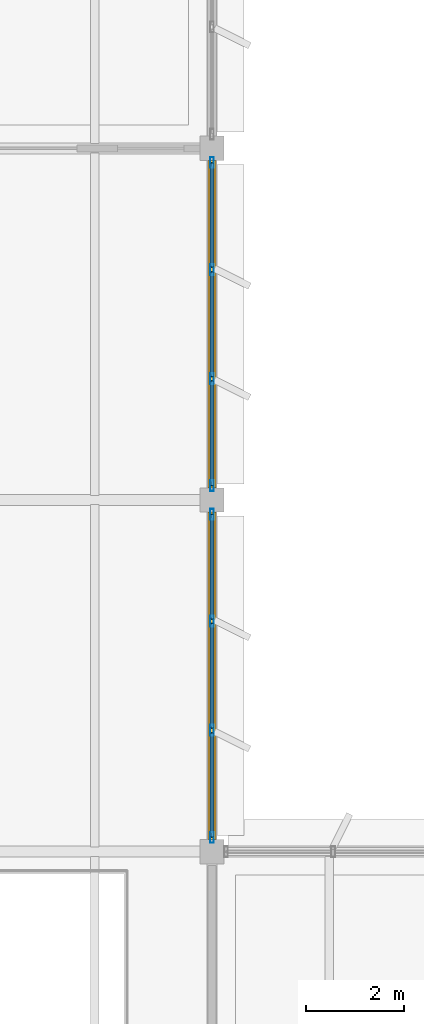
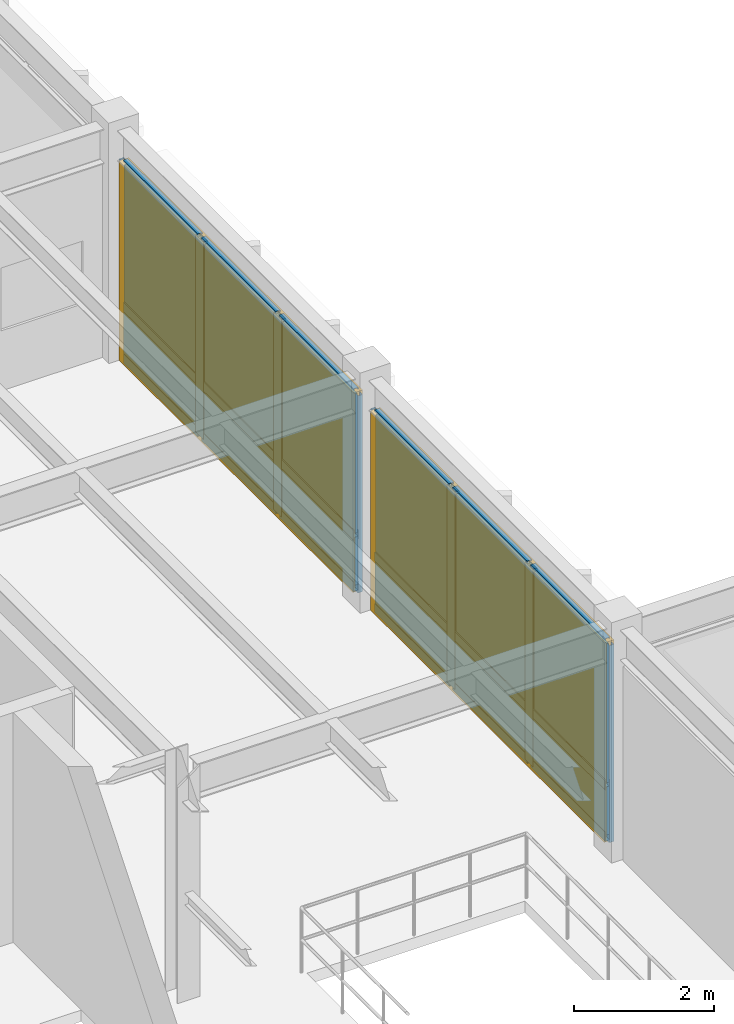
# One storey, part 68 of 85: 26 members, 12 plates, 2 curtain walls.
"""IFC4 building model written with IfcOpenShell, lengths in metres."""

from ifc_helpers import new_model, si_unit, direction, frame, origin, origin_2d, place, context, subcontext, project, spatial, rectangle, hollow_rectangle, extrude, material, layer, layer_set, material_profile, profile_set, type_object, element, aggregate, save


model = new_model("IFC4")

# Units and contexts
model_context = context("Model", 3, precision=1e-05, world=origin(), true_north=direction((0.0, 1.0)))
body_context = subcontext(model_context, "Body", "Model", "MODEL_VIEW")
ifc_project = project(units=[si_unit("LENGTHUNIT", "METRE"), si_unit("AREAUNIT", "SQUARE_METRE"), si_unit("VOLUMEUNIT", "CUBIC_METRE"), si_unit("PLANEANGLEUNIT", "RADIAN"), si_unit("MASSUNIT", "GRAM", prefix="KILO")], contexts=[model_context])

# Member
ifc_material_1 = material(Name="Anodized Aluminium 6063-T6", Category="aluminium")
ifc_material_profile_1 = material_profile(ifc_material_1, hollow_rectangle(XDim=0.074951171875, YDim=0.219970703125, WallThickness=0.0048828125, at=origin_2d()), Name="ALU 75x220x5")
ifc_profile_set_1 = profile_set([ifc_material_profile_1], Name="Anodized Aluminium 6063-T6")
member_type_1 = type_object("IfcMemberType", Name="CWM-75X180", PredefinedType="MULLION", material=ifc_profile_set_1)
site_placement = place(None, origin())
building_placement = place(site_placement, origin())
storey_placement = place(building_placement, frame((0.0, 0.0, 9.89990234375)))
member_1_placement = place(storey_placement, frame((136.800048828125, 64.510009765625, 0.02001953125), z_axis=(0.0, 0.0, 1.0), x_axis=(1.0, 0.0, 0.0)))
member_1 = element("IfcMember", 1, at=member_1_placement, type_object=member_type_1, Name="Curtain wall mullion CW-L03-18-08-E-00", PredefinedType="MULLION", context=body_context, shape_type="SweptSolid", body=[
    extrude(hollow_rectangle(XDim=0.074951171875, YDim=0.219970703125, WallThickness=0.0048828125, at=origin_2d()), origin(), (0.0, 0.0, 1.0), 3.447021484375),
])

member_2_placement = place(storey_placement, frame((136.800048828125, 62.316650390625, 0.02001953125), z_axis=(0.0, 0.0, 1.0), x_axis=(1.0, 0.0, 0.0)))
member_2 = element("IfcMember", 2, at=member_2_placement, type_object=member_type_1, Name="Curtain wall mullion CW-L03-18-08-E-01", PredefinedType="MULLION", context=body_context, shape_type="SweptSolid", body=[
    extrude(hollow_rectangle(XDim=0.074951171875, YDim=0.219970703125, WallThickness=0.0048828125, at=origin_2d()), origin(), (0.0, 0.0, 1.0), 3.447021484375),
])

member_3_placement = place(storey_placement, frame((136.800048828125, 60.083251953125, 0.02001953125), z_axis=(0.0, 0.0, 1.0), x_axis=(1.0, 0.0, 0.0)))
member_3 = element("IfcMember", 3, at=member_3_placement, type_object=member_type_1, Name="Curtain wall mullion CW-L03-18-08-E-02", PredefinedType="MULLION", context=body_context, shape_type="SweptSolid", body=[
    extrude(hollow_rectangle(XDim=0.074951171875, YDim=0.219970703125, WallThickness=0.0048828125, at=origin_2d()), origin(), (0.0, 0.0, 1.0), 3.447021484375),
])

member_4_placement = place(storey_placement, frame((136.800048828125, 57.889892578125, 0.02001953125), z_axis=(0.0, 0.0, 1.0), x_axis=(1.0, 0.0, 0.0)))
member_4 = element("IfcMember", 4, at=member_4_placement, type_object=member_type_1, Name="Curtain wall mullion CW-L03-18-08-E-03", PredefinedType="MULLION", context=body_context, shape_type="SweptSolid", body=[
    extrude(hollow_rectangle(XDim=0.074951171875, YDim=0.219970703125, WallThickness=0.0048828125, at=origin_2d()), origin(), (0.0, 0.0, 1.0), 3.447021484375),
])

member_5_placement = place(storey_placement, frame((136.800048828125, 71.7099609375, 0.02001953125), z_axis=(0.0, 0.0, 1.0), x_axis=(1.0, 0.0, 0.0)))
member_5 = element("IfcMember", 5, at=member_5_placement, type_object=member_type_1, Name="Curtain wall mullion CW-L03-18-09-E-00", PredefinedType="MULLION", context=body_context, shape_type="SweptSolid", body=[
    extrude(hollow_rectangle(XDim=0.074951171875, YDim=0.219970703125, WallThickness=0.0048828125, at=origin_2d()), origin(), (0.0, 0.0, 1.0), 3.447021484375),
])

member_6_placement = place(storey_placement, frame((136.800048828125, 69.5166015625, 0.02001953125), z_axis=(0.0, 0.0, 1.0), x_axis=(1.0, 0.0, 0.0)))
member_6 = element("IfcMember", 6, at=member_6_placement, type_object=member_type_1, Name="Curtain wall mullion CW-L03-18-09-E-01", PredefinedType="MULLION", context=body_context, shape_type="SweptSolid", body=[
    extrude(hollow_rectangle(XDim=0.074951171875, YDim=0.219970703125, WallThickness=0.0048828125, at=origin_2d()), origin(), (0.0, 0.0, 1.0), 3.447021484375),
])

member_7_placement = place(storey_placement, frame((136.800048828125, 67.283203125, 0.02001953125), z_axis=(0.0, 0.0, 1.0), x_axis=(1.0, 0.0, 0.0)))
member_7 = element("IfcMember", 7, at=member_7_placement, type_object=member_type_1, Name="Curtain wall mullion CW-L03-18-09-E-02", PredefinedType="MULLION", context=body_context, shape_type="SweptSolid", body=[
    extrude(hollow_rectangle(XDim=0.074951171875, YDim=0.219970703125, WallThickness=0.0048828125, at=origin_2d()), origin(), (0.0, 0.0, 1.0), 3.447021484375),
])

member_8_placement = place(storey_placement, frame((136.800048828125, 65.090087890625, 0.02001953125), z_axis=(0.0, 0.0, 1.0), x_axis=(1.0, 0.0, 0.0)))
member_8 = element("IfcMember", 8, at=member_8_placement, type_object=member_type_1, Name="Curtain wall mullion CW-L03-18-09-E-03", PredefinedType="MULLION", context=body_context, shape_type="SweptSolid", body=[
    extrude(hollow_rectangle(XDim=0.074951171875, YDim=0.219970703125, WallThickness=0.0048828125, at=origin_2d()), origin(), (0.0, 0.0, 1.0), 3.447021484375),
])

ifc_material_profile_2 = material_profile(ifc_material_1, hollow_rectangle(XDim=0.074951171875, YDim=0.159912109375, WallThickness=0.00390625, at=origin_2d()), Name="ALU 75x160x4")
ifc_profile_set_2 = profile_set([ifc_material_profile_2], Name="Anodized Aluminium 6063-T6")
member_type_2 = type_object("IfcMemberType", Name="CWT-75X150", PredefinedType="USERDEFINED", material=ifc_profile_set_2)
member_9_placement = place(storey_placement, frame((136.800048828125, 64.5, 0.050048828125), z_axis=(0.0, -1.0, 0.0), x_axis=(1.0, 0.0, 0.0)))
member_9 = element("IfcMember", 9, at=member_9_placement, type_object=member_type_2, Name="Curtain wall transom CW-L03-18-08-E-1.01", ObjectType="TRANSOM", PredefinedType="USERDEFINED", context=body_context, shape_type="SweptSolid", body=[
    extrude(hollow_rectangle(XDim=0.074951171875, YDim=0.159912109375, WallThickness=0.00390625, at=origin_2d()), origin(), (0.0, 0.0, 1.0), 2.13330078125),
])

member_10_placement = place(storey_placement, frame((136.800048828125, 62.2666015625, 0.050048828125), z_axis=(0.0, -1.0, 0.0), x_axis=(1.0, 0.0, 0.0)))
member_10 = element("IfcMember", 10, at=member_10_placement, type_object=member_type_2, Name="Curtain wall transom CW-L03-18-08-E-1.02", ObjectType="TRANSOM", PredefinedType="USERDEFINED", context=body_context, shape_type="SweptSolid", body=[
    extrude(hollow_rectangle(XDim=0.074951171875, YDim=0.159912109375, WallThickness=0.00390625, at=origin_2d()), origin(), (0.0, 0.0, 1.0), 2.13330078125),
])

member_11_placement = place(storey_placement, frame((136.800048828125, 60.033203125, 0.050048828125), z_axis=(0.0, -1.0, 0.0), x_axis=(1.0, 0.0, 0.0)))
member_11 = element("IfcMember", 11, at=member_11_placement, type_object=member_type_2, Name="Curtain wall transom CW-L03-18-08-E-1.03", ObjectType="TRANSOM", PredefinedType="USERDEFINED", context=body_context, shape_type="SweptSolid", body=[
    extrude(hollow_rectangle(XDim=0.074951171875, YDim=0.159912109375, WallThickness=0.00390625, at=origin_2d()), origin(), (0.0, 0.0, 1.0), 2.13330078125),
])

member_12_placement = place(storey_placement, frame((136.800048828125, 64.5, 0.9501953125), z_axis=(0.0, -1.0, 0.0), x_axis=(1.0, 0.0, 0.0)))
member_12 = element("IfcMember", 12, at=member_12_placement, type_object=member_type_2, Name="Curtain wall transom CW-L03-18-08-E-2.01", ObjectType="TRANSOM", PredefinedType="USERDEFINED", context=body_context, shape_type="SweptSolid", body=[
    extrude(hollow_rectangle(XDim=0.074951171875, YDim=0.159912109375, WallThickness=0.00390625, at=origin_2d()), origin(), (0.0, 0.0, 1.0), 2.13330078125),
])

member_13_placement = place(storey_placement, frame((136.800048828125, 62.2666015625, 0.9501953125), z_axis=(0.0, -1.0, 0.0), x_axis=(1.0, 0.0, 0.0)))
member_13 = element("IfcMember", 13, at=member_13_placement, type_object=member_type_2, Name="Curtain wall transom CW-L03-18-08-E-2.02", ObjectType="TRANSOM", PredefinedType="USERDEFINED", context=body_context, shape_type="SweptSolid", body=[
    extrude(hollow_rectangle(XDim=0.074951171875, YDim=0.159912109375, WallThickness=0.00390625, at=origin_2d()), origin(), (0.0, 0.0, 1.0), 2.13330078125),
])

member_14_placement = place(storey_placement, frame((136.800048828125, 60.033203125, 0.9501953125), z_axis=(0.0, -1.0, 0.0), x_axis=(1.0, 0.0, 0.0)))
member_14 = element("IfcMember", 14, at=member_14_placement, type_object=member_type_2, Name="Curtain wall transom CW-L03-18-08-E-2.03", ObjectType="TRANSOM", PredefinedType="USERDEFINED", context=body_context, shape_type="SweptSolid", body=[
    extrude(hollow_rectangle(XDim=0.074951171875, YDim=0.159912109375, WallThickness=0.00390625, at=origin_2d()), origin(), (0.0, 0.0, 1.0), 2.13330078125),
])

member_15_placement = place(storey_placement, frame((136.800048828125, 64.5, 3.43701171875), z_axis=(0.0, -1.0, 0.0), x_axis=(1.0, 0.0, 0.0)))
member_15 = element("IfcMember", 15, at=member_15_placement, type_object=member_type_2, Name="Curtain wall transom CW-L03-18-08-E-3.01", ObjectType="TRANSOM", PredefinedType="USERDEFINED", context=body_context, shape_type="SweptSolid", body=[
    extrude(hollow_rectangle(XDim=0.074951171875, YDim=0.159912109375, WallThickness=0.00390625, at=origin_2d()), origin(), (0.0, 0.0, 1.0), 2.13330078125),
])

member_16_placement = place(storey_placement, frame((136.800048828125, 62.2666015625, 3.43701171875), z_axis=(0.0, -1.0, 0.0), x_axis=(1.0, 0.0, 0.0)))
member_16 = element("IfcMember", 16, at=member_16_placement, type_object=member_type_2, Name="Curtain wall transom CW-L03-18-08-E-3.02", ObjectType="TRANSOM", PredefinedType="USERDEFINED", context=body_context, shape_type="SweptSolid", body=[
    extrude(hollow_rectangle(XDim=0.074951171875, YDim=0.159912109375, WallThickness=0.00390625, at=origin_2d()), origin(), (0.0, 0.0, 1.0), 2.13330078125),
])

member_17_placement = place(storey_placement, frame((136.800048828125, 60.033203125, 3.43701171875), z_axis=(0.0, -1.0, 0.0), x_axis=(1.0, 0.0, 0.0)))
member_17 = element("IfcMember", 17, at=member_17_placement, type_object=member_type_2, Name="Curtain wall transom CW-L03-18-08-E-3.03", ObjectType="TRANSOM", PredefinedType="USERDEFINED", context=body_context, shape_type="SweptSolid", body=[
    extrude(hollow_rectangle(XDim=0.074951171875, YDim=0.159912109375, WallThickness=0.00390625, at=origin_2d()), origin(), (0.0, 0.0, 1.0), 2.13330078125),
])

member_18_placement = place(storey_placement, frame((136.800048828125, 71.699951171875, 0.050048828125), z_axis=(0.0, -1.0, 0.0), x_axis=(1.0, 0.0, 0.0)))
member_18 = element("IfcMember", 18, at=member_18_placement, type_object=member_type_2, Name="Curtain wall transom CW-L03-18-09-E-1.01", ObjectType="TRANSOM", PredefinedType="USERDEFINED", context=body_context, shape_type="SweptSolid", body=[
    extrude(hollow_rectangle(XDim=0.074951171875, YDim=0.159912109375, WallThickness=0.00390625, at=origin_2d()), origin(), (0.0, 0.0, 1.0), 2.13330078125),
])

member_19_placement = place(storey_placement, frame((136.800048828125, 69.466796875, 0.050048828125), z_axis=(0.0, -1.0, 0.0), x_axis=(1.0, 0.0, 0.0)))
member_19 = element("IfcMember", 19, at=member_19_placement, type_object=member_type_2, Name="Curtain wall transom CW-L03-18-09-E-1.02", ObjectType="TRANSOM", PredefinedType="USERDEFINED", context=body_context, shape_type="SweptSolid", body=[
    extrude(hollow_rectangle(XDim=0.074951171875, YDim=0.159912109375, WallThickness=0.00390625, at=origin_2d()), origin(), (0.0, 0.0, 1.0), 2.133544921875),
])

member_20_placement = place(storey_placement, frame((136.800048828125, 67.2333984375, 0.050048828125), z_axis=(0.0, -1.0, 0.0), x_axis=(1.0, 0.0, 0.0)))
member_20 = element("IfcMember", 20, at=member_20_placement, type_object=member_type_2, Name="Curtain wall transom CW-L03-18-09-E-1.03", ObjectType="TRANSOM", PredefinedType="USERDEFINED", context=body_context, shape_type="SweptSolid", body=[
    extrude(hollow_rectangle(XDim=0.074951171875, YDim=0.159912109375, WallThickness=0.00390625, at=origin_2d()), origin(), (0.0, 0.0, 1.0), 2.13330078125),
])

member_21_placement = place(storey_placement, frame((136.800048828125, 71.699951171875, 0.9501953125), z_axis=(0.0, -1.0, 0.0), x_axis=(1.0, 0.0, 0.0)))
member_21 = element("IfcMember", 21, at=member_21_placement, type_object=member_type_2, Name="Curtain wall transom CW-L03-18-09-E-2.01", ObjectType="TRANSOM", PredefinedType="USERDEFINED", context=body_context, shape_type="SweptSolid", body=[
    extrude(hollow_rectangle(XDim=0.074951171875, YDim=0.159912109375, WallThickness=0.00390625, at=origin_2d()), origin(), (0.0, 0.0, 1.0), 2.13330078125),
])

member_22_placement = place(storey_placement, frame((136.800048828125, 69.466796875, 0.9501953125), z_axis=(0.0, -1.0, 0.0), x_axis=(1.0, 0.0, 0.0)))
member_22 = element("IfcMember", 22, at=member_22_placement, type_object=member_type_2, Name="Curtain wall transom CW-L03-18-09-E-2.02", ObjectType="TRANSOM", PredefinedType="USERDEFINED", context=body_context, shape_type="SweptSolid", body=[
    extrude(hollow_rectangle(XDim=0.074951171875, YDim=0.159912109375, WallThickness=0.00390625, at=origin_2d()), origin(), (0.0, 0.0, 1.0), 2.133544921875),
])

member_23_placement = place(storey_placement, frame((136.800048828125, 67.2333984375, 0.9501953125), z_axis=(0.0, -1.0, 0.0), x_axis=(1.0, 0.0, 0.0)))
member_23 = element("IfcMember", 23, at=member_23_placement, type_object=member_type_2, Name="Curtain wall transom CW-L03-18-09-E-2.03", ObjectType="TRANSOM", PredefinedType="USERDEFINED", context=body_context, shape_type="SweptSolid", body=[
    extrude(hollow_rectangle(XDim=0.074951171875, YDim=0.159912109375, WallThickness=0.00390625, at=origin_2d()), origin(), (0.0, 0.0, 1.0), 2.13330078125),
])

member_24_placement = place(storey_placement, frame((136.800048828125, 71.699951171875, 3.43701171875), z_axis=(0.0, -1.0, 0.0), x_axis=(1.0, 0.0, 0.0)))
member_24 = element("IfcMember", 24, at=member_24_placement, type_object=member_type_2, Name="Curtain wall transom CW-L03-18-09-E-3.01", ObjectType="TRANSOM", PredefinedType="USERDEFINED", context=body_context, shape_type="SweptSolid", body=[
    extrude(hollow_rectangle(XDim=0.074951171875, YDim=0.159912109375, WallThickness=0.00390625, at=origin_2d()), origin(), (0.0, 0.0, 1.0), 2.13330078125),
])

member_25_placement = place(storey_placement, frame((136.800048828125, 69.466796875, 3.43701171875), z_axis=(0.0, -1.0, 0.0), x_axis=(1.0, 0.0, 0.0)))
member_25 = element("IfcMember", 25, at=member_25_placement, type_object=member_type_2, Name="Curtain wall transom CW-L03-18-09-E-3.02", ObjectType="TRANSOM", PredefinedType="USERDEFINED", context=body_context, shape_type="SweptSolid", body=[
    extrude(hollow_rectangle(XDim=0.074951171875, YDim=0.159912109375, WallThickness=0.00390625, at=origin_2d()), origin(), (0.0, 0.0, 1.0), 2.133544921875),
])

member_26_placement = place(storey_placement, frame((136.800048828125, 67.2333984375, 3.43701171875), z_axis=(0.0, -1.0, 0.0), x_axis=(1.0, 0.0, 0.0)))
member_26 = element("IfcMember", 26, at=member_26_placement, type_object=member_type_2, Name="Curtain wall transom CW-L03-18-09-E-3.03", ObjectType="TRANSOM", PredefinedType="USERDEFINED", context=body_context, shape_type="SweptSolid", body=[
    extrude(hollow_rectangle(XDim=0.074951171875, YDim=0.159912109375, WallThickness=0.00390625, at=origin_2d()), origin(), (0.0, 0.0, 1.0), 2.13330078125),
])

# Plate
ifc_material_2 = material(Name="Acoustic Laminated Low-E Glazing", Category="glass")
ifc_layer_1 = layer(ifc_material_2, 0.0439453125)
ifc_layer_set_1 = layer_set([ifc_layer_1], Name="Acoustic Laminated Low-E Glazing")
plate_type_1 = type_object("IfcPlateType", Name="CWP-IGU-44", PredefinedType="CURTAIN_PANEL", material=ifc_layer_set_1)
plate_1_placement = place(storey_placement, frame((136.800048828125, 63.433349609375, 0.989990234375), z_axis=(0.0, 0.0, 1.0), x_axis=(0.0, -1.0, 0.0)))
plate_1 = element("IfcPlate", 27, at=plate_1_placement, type_object=plate_type_1, Name="Curtain wall vision glazing CW-L03-18-08-E-01", PredefinedType="CURTAIN_PANEL", context=body_context, shape_type="SweptSolid", body=[
    extrude(rectangle(XDim=2.143310546875, YDim=0.0400390625, at=origin_2d()), origin(), (0.0, 0.0, 1.0), 2.43701171875),
])

plate_2_placement = place(storey_placement, frame((136.800048828125, 61.199951171875, 0.989990234375), z_axis=(0.0, 0.0, 1.0), x_axis=(0.0, -1.0, 0.0)))
plate_2 = element("IfcPlate", 28, at=plate_2_placement, type_object=plate_type_1, Name="Curtain wall vision glazing CW-L03-18-08-E-02", PredefinedType="CURTAIN_PANEL", context=body_context, shape_type="SweptSolid", body=[
    extrude(rectangle(XDim=2.143310546875, YDim=0.0400390625, at=origin_2d()), origin(), (0.0, 0.0, 1.0), 2.43701171875),
])

plate_3_placement = place(storey_placement, frame((136.800048828125, 58.966796875, 0.989990234375), z_axis=(0.0, 0.0, 1.0), x_axis=(0.0, -1.0, 0.0)))
plate_3 = element("IfcPlate", 29, at=plate_3_placement, type_object=plate_type_1, Name="Curtain wall vision glazing CW-L03-18-08-E-03", PredefinedType="CURTAIN_PANEL", context=body_context, shape_type="SweptSolid", body=[
    extrude(rectangle(XDim=2.143310546875, YDim=0.0400390625, at=origin_2d()), origin(), (0.0, 0.0, 1.0), 2.43701171875),
])

plate_4_placement = place(storey_placement, frame((136.800048828125, 70.63330078125, 0.989990234375), z_axis=(0.0, 0.0, 1.0), x_axis=(0.0, -1.0, 0.0)))
plate_4 = element("IfcPlate", 30, at=plate_4_placement, type_object=plate_type_1, Name="Curtain wall vision glazing CW-L03-18-09-E-01", PredefinedType="CURTAIN_PANEL", context=body_context, shape_type="SweptSolid", body=[
    extrude(rectangle(XDim=2.143310546875, YDim=0.0400390625, at=origin_2d()), origin(), (0.0, 0.0, 1.0), 2.43701171875),
])

plate_5_placement = place(storey_placement, frame((136.800048828125, 68.39990234375, 0.989990234375), z_axis=(0.0, 0.0, 1.0), x_axis=(0.0, -1.0, 0.0)))
plate_5 = element("IfcPlate", 31, at=plate_5_placement, type_object=plate_type_1, Name="Curtain wall vision glazing CW-L03-18-09-E-02", PredefinedType="CURTAIN_PANEL", context=body_context, shape_type="SweptSolid", body=[
    extrude(rectangle(XDim=2.143310546875, YDim=0.0400390625, at=origin_2d()), origin(), (0.0, 0.0, 1.0), 2.43701171875),
])

plate_6_placement = place(storey_placement, frame((136.800048828125, 66.166748046875, 0.989990234375), z_axis=(0.0, 0.0, 1.0), x_axis=(0.0, -1.0, 0.0)))
plate_6 = element("IfcPlate", 32, at=plate_6_placement, type_object=plate_type_1, Name="Curtain wall vision glazing CW-L03-18-09-E-03", PredefinedType="CURTAIN_PANEL", context=body_context, shape_type="SweptSolid", body=[
    extrude(rectangle(XDim=2.143310546875, YDim=0.0400390625, at=origin_2d()), origin(), (0.0, 0.0, 1.0), 2.43701171875),
])

ifc_material_3 = material(Name="Insulated Stone-Composite Spandrel", Category="masonry")
ifc_layer_2 = layer(ifc_material_3, 0.068115234375)
ifc_layer_set_2 = layer_set([ifc_layer_2], Name="Insulated Stone-Composite Spandrel")
plate_type_2 = type_object("IfcPlateType", Name="CWP-SPN-68", PredefinedType="CURTAIN_PANEL", material=ifc_layer_set_2)
plate_7_placement = place(storey_placement, frame((136.800048828125, 63.433349609375, 0.080078125), z_axis=(0.0, 0.0, 1.0), x_axis=(0.0, -1.0, 0.0)))
plate_7 = element("IfcPlate", 33, at=plate_7_placement, type_object=plate_type_2, Name="Curtain wall spandrel panel CW-L03-18-08-E-01", PredefinedType="CURTAIN_PANEL", context=body_context, shape_type="SweptSolid", body=[
    extrude(rectangle(XDim=2.143310546875, YDim=0.06005859375, at=origin_2d()), origin(), (0.0, 0.0, 1.0), 0.840087890625),
])

plate_8_placement = place(storey_placement, frame((136.800048828125, 61.199951171875, 0.080078125), z_axis=(0.0, 0.0, 1.0), x_axis=(0.0, -1.0, 0.0)))
plate_8 = element("IfcPlate", 34, at=plate_8_placement, type_object=plate_type_2, Name="Curtain wall spandrel panel CW-L03-18-08-E-02", PredefinedType="CURTAIN_PANEL", context=body_context, shape_type="SweptSolid", body=[
    extrude(rectangle(XDim=2.143310546875, YDim=0.06005859375, at=origin_2d()), origin(), (0.0, 0.0, 1.0), 0.840087890625),
])

plate_9_placement = place(storey_placement, frame((136.800048828125, 58.966796875, 0.080078125), z_axis=(0.0, 0.0, 1.0), x_axis=(0.0, -1.0, 0.0)))
plate_9 = element("IfcPlate", 35, at=plate_9_placement, type_object=plate_type_2, Name="Curtain wall spandrel panel CW-L03-18-08-E-03", PredefinedType="CURTAIN_PANEL", context=body_context, shape_type="SweptSolid", body=[
    extrude(rectangle(XDim=2.143310546875, YDim=0.06005859375, at=origin_2d()), origin(), (0.0, 0.0, 1.0), 0.840087890625),
])

plate_10_placement = place(storey_placement, frame((136.800048828125, 70.63330078125, 0.080078125), z_axis=(0.0, 0.0, 1.0), x_axis=(0.0, -1.0, 0.0)))
plate_10 = element("IfcPlate", 36, at=plate_10_placement, type_object=plate_type_2, Name="Curtain wall spandrel panel CW-L03-18-09-E-01", PredefinedType="CURTAIN_PANEL", context=body_context, shape_type="SweptSolid", body=[
    extrude(rectangle(XDim=2.143310546875, YDim=0.06005859375, at=origin_2d()), origin(), (0.0, 0.0, 1.0), 0.840087890625),
])

plate_11_placement = place(storey_placement, frame((136.800048828125, 68.39990234375, 0.080078125), z_axis=(0.0, 0.0, 1.0), x_axis=(0.0, -1.0, 0.0)))
plate_11 = element("IfcPlate", 37, at=plate_11_placement, type_object=plate_type_2, Name="Curtain wall spandrel panel CW-L03-18-09-E-02", PredefinedType="CURTAIN_PANEL", context=body_context, shape_type="SweptSolid", body=[
    extrude(rectangle(XDim=2.143310546875, YDim=0.06005859375, at=origin_2d()), origin(), (0.0, 0.0, 1.0), 0.840087890625),
])

plate_12_placement = place(storey_placement, frame((136.800048828125, 66.166748046875, 0.080078125), z_axis=(0.0, 0.0, 1.0), x_axis=(0.0, -1.0, 0.0)))
plate_12 = element("IfcPlate", 38, at=plate_12_placement, type_object=plate_type_2, Name="Curtain wall spandrel panel CW-L03-18-09-E-03", PredefinedType="CURTAIN_PANEL", context=body_context, shape_type="SweptSolid", body=[
    extrude(rectangle(XDim=2.143310546875, YDim=0.06005859375, at=origin_2d()), origin(), (0.0, 0.0, 1.0), 0.840087890625),
])

# Site, building, storey
site = spatial("IfcSite", under=ifc_project, at=site_placement, CompositionType="ELEMENT")
building = spatial("IfcBuilding", under=site, at=building_placement, Name="Sillqori Civic Hall", CompositionType="ELEMENT")
storey = spatial("IfcBuildingStorey", under=building, at=storey_placement, Name="L03", CompositionType="ELEMENT", Elevation=9.89990234375)

# Curtain wall
ifc_material_4 = material(Name="Anodized Aluminium Curtain Wall System", Category="aluminium")
curtain_wall_type = type_object("IfcCurtainWallType", Name="CW-GL-400", PredefinedType="NOTDEFINED", material=ifc_material_4)
curtain_wall_1_placement = place(storey_placement, frame((136.800048828125, 61.199951171875, 0.0), z_axis=(0.0, 0.0, 1.0), x_axis=(0.0, -1.0, 0.0)))
curtain_wall_1 = element("IfcCurtainWall", 39, at=curtain_wall_1_placement, inside=storey, type_object=curtain_wall_type, Name="L03 unitised curtain wall CW-L03-18-08-E", PredefinedType="NOTDEFINED", context=body_context, shape_type="SweptSolid", body=[
    extrude(rectangle(XDim=6.699951171875, YDim=0.159912109375, at=origin_2d()), origin(), (0.0, 0.0, 1.0), 3.487060546875),
])

aggregate(curtain_wall_1, [member_1, member_2, member_3, member_4, member_9, member_10, member_11, member_12, member_13, member_14, member_15, member_16, member_17, plate_7, plate_1, plate_8, plate_2, plate_9, plate_3])

curtain_wall_2_placement = place(storey_placement, frame((136.800048828125, 68.39990234375, 0.0), z_axis=(0.0, 0.0, 1.0), x_axis=(0.0, -1.0, 0.0)))
curtain_wall_2 = element("IfcCurtainWall", 40, at=curtain_wall_2_placement, inside=storey, type_object=curtain_wall_type, Name="L03 unitised curtain wall CW-L03-18-09-E", PredefinedType="NOTDEFINED", context=body_context, shape_type="SweptSolid", body=[
    extrude(rectangle(XDim=6.699951171875, YDim=0.159912109375, at=origin_2d()), origin(), (0.0, 0.0, 1.0), 3.487060546875),
])

aggregate(curtain_wall_2, [member_5, member_6, member_7, member_8, member_18, member_19, member_20, member_21, member_22, member_23, member_24, member_25, member_26, plate_10, plate_4, plate_11, plate_5, plate_12, plate_6])

save(model, "model.ifc")
